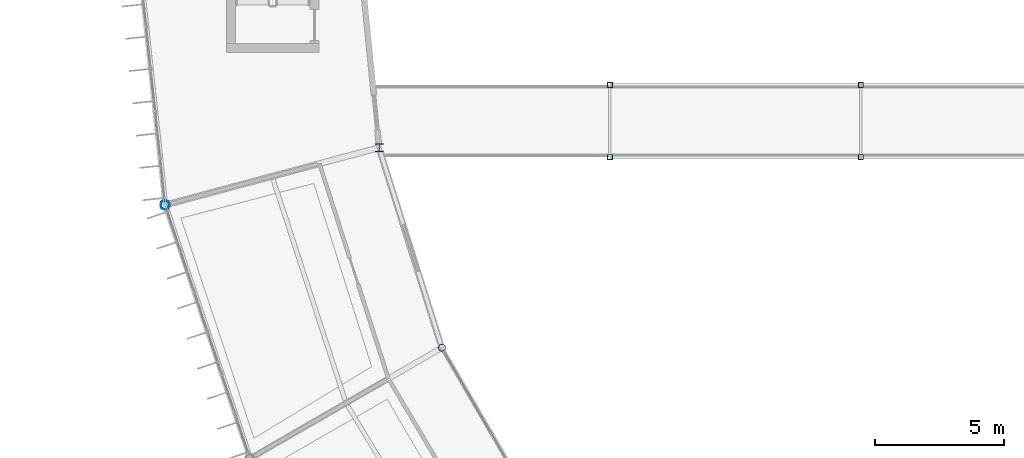
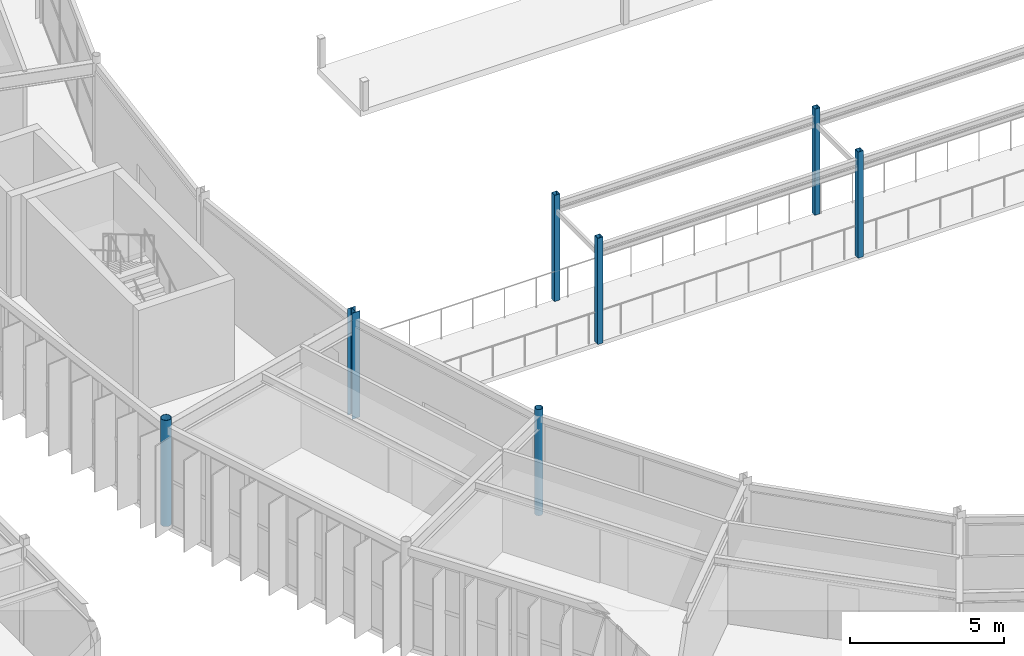
# One storey, part 5 of 147: 7 columns.
"""IFC4 building model written with IfcOpenShell, lengths in metres."""

from ifc_helpers import new_model, si_unit, direction, frame, origin, origin_2d, place, context, subcontext, project, spatial, hollow_rectangle, hollow_circle, i_section, extrude, material, material_profile, profile_set, type_object, element, save


model = new_model("IFC4")

# Units and contexts
model_context = context("Model", 3, precision=1e-05, world=origin(), true_north=direction((0.0, 1.0)))
body_context = subcontext(model_context, "Body", "Model", "MODEL_VIEW")
ifc_project = project(units=[si_unit("LENGTHUNIT", "METRE"), si_unit("AREAUNIT", "SQUARE_METRE"), si_unit("VOLUMEUNIT", "CUBIC_METRE"), si_unit("PLANEANGLEUNIT", "RADIAN"), si_unit("MASSUNIT", "GRAM", prefix="KILO")], contexts=[model_context])

# Site, building, storey
site_placement = place(None, origin())
site = spatial("IfcSite", under=ifc_project, at=site_placement, CompositionType="ELEMENT")
building_placement = place(site_placement, origin())
building = spatial("IfcBuilding", under=site, at=building_placement, Name="Karori Crest Natural Sciences Institute", CompositionType="ELEMENT")
storey_placement = place(building_placement, frame((0.0, 0.0, 9.10009765625)))
storey = spatial("IfcBuildingStorey", under=building, at=storey_placement, Name="L02", CompositionType="ELEMENT", Elevation=9.10009765625)

# Columns
ifc_material_1 = material(Name="Hollow structural steel AS/NZS 1163 Grade C350", Category="steel")
ifc_material_profile_1 = material_profile(ifc_material_1, hollow_rectangle(XDim=0.199951171875, YDim=0.199951171875, WallThickness=0.010009765625, at=origin_2d()), Name="SHS200x200x10")
ifc_profile_set_1 = profile_set([ifc_material_profile_1], Name="Hollow structural steel AS/NZS 1163 Grade C350")
column_type_1 = type_object("IfcColumnType", Name="CT-13-EL", PredefinedType="COLUMN", material=ifc_profile_set_1)
for number, where, z_axis, x_axis, name in (
    (1, (51.7900390625, 41.199951171875, 0.0), (0.0, 0.0, 1.0), (1.0, 0.0, 0.0), "Column C-0400"),
    (2, (51.7900390625, 44.0, 0.0), (0.0, 0.0, 1.0), (1.0, 0.0, 0.0), "Column C-0405"),
    (3, (61.530029296875, 41.199951171875, 0.0), (0.0, 0.0, 1.0), (1.0, 0.0, 0.0), "Column C-0410"),
    (4, (61.530029296875, 44.0, 0.0), (0.0, 0.0, 1.0), (1.0, 0.0, 0.0), "Column C-0415"),
):
    element("IfcColumn", number, at=place(storey_placement, frame(where, z_axis=z_axis, x_axis=x_axis)), inside=storey, type_object=column_type_1, Name=name, PredefinedType="COLUMN", context=body_context, shape_type="SweptSolid", body=[
        extrude(hollow_rectangle(XDim=0.199951171875, YDim=0.199951171875, WallThickness=0.010009765625, at=origin_2d()), origin(), (0.0, 0.0, 1.0), 4.199951171875),
    ])
ifc_material_profile_2 = material_profile(ifc_material_1, hollow_circle(Radius=0.177734375, WallThickness=0.0126953125, at=origin_2d()), Name="CHS355.6x12.7")
ifc_profile_set_2 = profile_set([ifc_material_profile_2], Name="Hollow structural steel AS/NZS 1163 Grade C350")
column_type_2 = type_object("IfcColumnType", Name="CT-14", PredefinedType="COLUMN", material=ifc_profile_set_2)
column_1_placement = place(storey_placement, frame((34.5244140625, 39.340087890625, 0.0), z_axis=(0.0, 0.0, 1.0), x_axis=(1.0, 0.0, 0.0)))
element("IfcColumn", 5, at=column_1_placement, inside=storey, type_object=column_type_2, Name="Column C-0227", PredefinedType="COLUMN", context=body_context, shape_type="SweptSolid", body=[
    extrude(hollow_circle(Radius=0.177734375, WallThickness=0.0126953125, at=origin_2d()), origin(), (0.0, 0.0, 1.0), 4.199951171875),
])
ifc_material_profile_3 = material_profile(ifc_material_1, hollow_circle(Radius=0.136474609375, WallThickness=0.00927734375, at=origin_2d()), Name="CHS273.0x9.3")
ifc_profile_set_3 = profile_set([ifc_material_profile_3], Name="Hollow structural steel AS/NZS 1163 Grade C350")
column_type_3 = type_object("IfcColumnType", Name="CT-16", PredefinedType="COLUMN", material=ifc_profile_set_3)
column_2_placement = place(storey_placement, frame((45.26904296875, 33.800048828125, 0.0), z_axis=(0.0, 0.0, 1.0), x_axis=(1.0, 0.0, 0.0)))
element("IfcColumn", 6, at=column_2_placement, inside=storey, type_object=column_type_3, Name="Column C-0244", PredefinedType="COLUMN", context=body_context, shape_type="SweptSolid", body=[
    extrude(hollow_circle(Radius=0.136474609375, WallThickness=0.00927734375, at=origin_2d()), origin(), (0.0, 0.0, 1.0), 4.199951171875),
])
ifc_material_2 = material(Name="Structural steel AS/NZS 3679.1 Grade 350", Category="steel")
ifc_material_profile_4 = material_profile(ifc_material_2, i_section(OverallWidth=0.304931640625, OverallDepth=0.30810546875, WebThickness=0.010009765625, FlangeThickness=0.015380859375, FilletRadius=0.01708984375, at=origin_2d()), Name="310UC96.8")
ifc_profile_set_4 = profile_set([ifc_material_profile_4], Name="Structural steel AS/NZS 3679.1 Grade 350")
column_type_4 = type_object("IfcColumnType", Name="CT-25", PredefinedType="COLUMN", material=ifc_profile_set_4)
column_3_placement = place(storey_placement, frame((42.831298828125, 41.56591796875, 0.0), z_axis=(0.0, 0.0, 1.0), x_axis=(1.0, 0.0, 0.0)))
element("IfcColumn", 7, at=column_3_placement, inside=storey, type_object=column_type_4, Name="Column C-0228", PredefinedType="COLUMN", context=body_context, shape_type="SweptSolid", body=[
    extrude(i_section(OverallWidth=0.304931640625, OverallDepth=0.30810546875, WebThickness=0.010009765625, FlangeThickness=0.015380859375, FilletRadius=0.01708984375, at=origin_2d()), origin(), (0.0, 0.0, 1.0), 4.199951171875),
])

save(model, "model.ifc")
